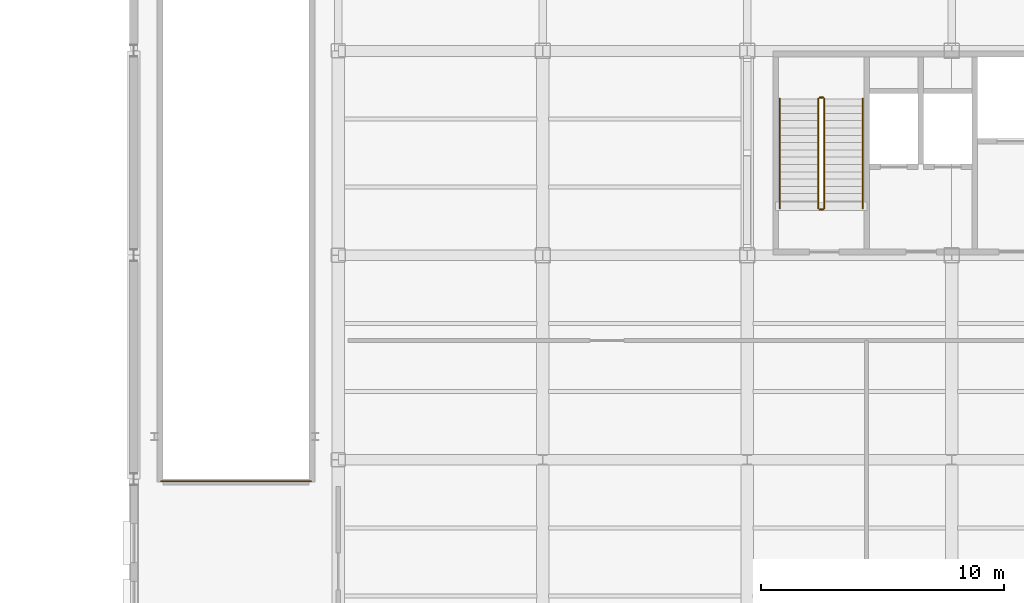
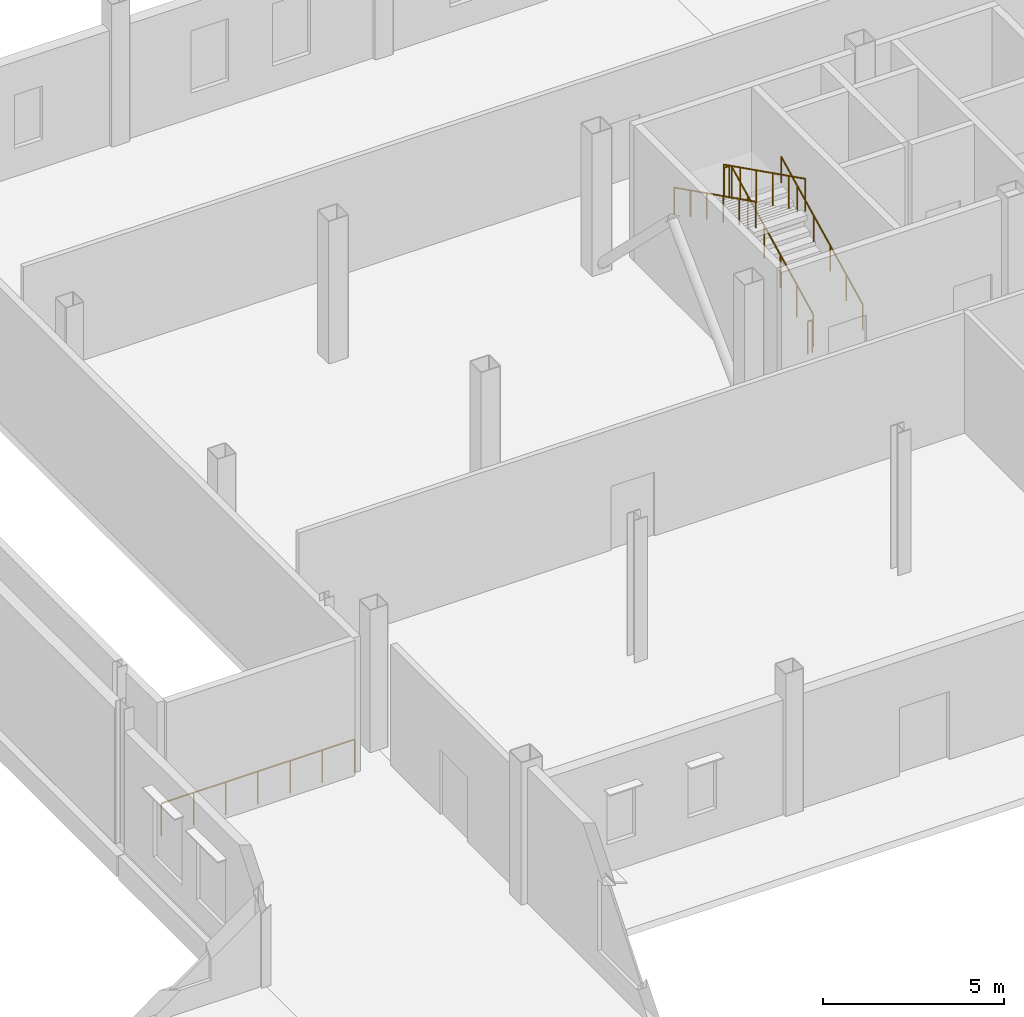
# One storey, part 81 of 82: 7 railings.
"""IFC4 building model written with IfcOpenShell, lengths in metres."""

from ifc_helpers import new_model, si_unit, direction, frame, origin, origin_2d, place, context, subcontext, project, spatial, circle, extrude, material, layer, layer_set, type_object, element, save


model = new_model("IFC4")

# Units and contexts
model_context = context("Model", 3, precision=1e-05, world=origin(), true_north=direction((0.0, 1.0)))
body_context = subcontext(model_context, "Body", "Model", "MODEL_VIEW")
ifc_project = project(units=[si_unit("LENGTHUNIT", "METRE"), si_unit("AREAUNIT", "SQUARE_METRE"), si_unit("VOLUMEUNIT", "CUBIC_METRE"), si_unit("PLANEANGLEUNIT", "RADIAN"), si_unit("MASSUNIT", "GRAM", prefix="KILO")], contexts=[model_context])

# Site, building, storey
site_placement = place(None, origin())
site = spatial("IfcSite", under=ifc_project, at=site_placement, CompositionType="ELEMENT")
building_placement = place(site_placement, origin())
building = spatial("IfcBuilding", under=site, at=building_placement, Name="Yukiwa Park Conservatory and Herbarium", CompositionType="ELEMENT")
storey_placement = place(building_placement, origin())
storey = spatial("IfcBuildingStorey", under=building, at=storey_placement, Name="L00", CompositionType="ELEMENT", Elevation=0.0)

# Railings
ifc_material_1 = material(Name="Steel Q235B", Category="steel")
ifc_layer_1 = layer(ifc_material_1, 0.050048828125)
ifc_layer_set_1 = layer_set([ifc_layer_1], Name="Steel Q235B")
railing_type_1 = type_object("IfcRailingType", Name="RL-STAIR-GUARD-1120", PredefinedType="BALUSTRADE", material=ifc_layer_set_1)
railing_1_placement = place(storey_placement, frame((136.3701171875, 96.72998046875, 0.14990234375)))
element("IfcRailing", 1, at=railing_1_placement, inside=storey, type_object=railing_type_1, Name="L00 ST-T1 stair guard 1", PredefinedType="BALUSTRADE", context=body_context, shape_type="SweptSolid", body=[
    extrude(circle(Radius=0.02392578125, at=origin_2d()), frame((0.0, 0.0, 1.09619140625), z_axis=(0.0, 0.894427191, 0.4472135955), x_axis=(-1.0, 0.0, 0.0)), (0.0, 0.0, 1.0), 5.03125),
    extrude(circle(Radius=0.02099609375, at=origin_2d()), origin(), (0.0, 0.0, 1.0), 1.072021484375),
    extrude(circle(Radius=0.02099609375, at=origin_2d()), frame((0.0, 0.89990234375, 0.449951171875)), (0.0, 0.0, 1.0), 1.072021484375),
    extrude(circle(Radius=0.02099609375, at=origin_2d()), frame((0.0, 1.800048828125, 0.89990234375)), (0.0, 0.0, 1.0), 1.072021484375),
    extrude(circle(Radius=0.02099609375, at=origin_2d()), frame((0.0, 2.699951171875, 1.35009765625)), (0.0, 0.0, 1.0), 1.072021484375),
    extrude(circle(Radius=0.02099609375, at=origin_2d()), frame((0.0, 3.60009765625, 1.800048828125)), (0.0, 0.0, 1.0), 1.072021484375),
    extrude(circle(Radius=0.02099609375, at=origin_2d()), frame((0.0, 4.5, 2.25)), (0.0, 0.0, 1.0), 1.072021484375),
])
railing_2_placement = place(storey_placement, frame((136.320068359375, 101.280029296875, 2.39990234375)))
element("IfcRailing", 2, at=railing_2_placement, inside=storey, type_object=railing_type_1, Name="L00 ST-T1 stair guard 2", PredefinedType="BALUSTRADE", context=body_context, shape_type="SweptSolid", body=[
    extrude(circle(Radius=0.02392578125, at=origin_2d()), frame((0.0, 0.0, 1.09619140625), z_axis=(-1.0, 0.0, 0.0), x_axis=(0.0, -1.0, 0.0)), (0.0, 0.0, 1.0), 0.150146484375),
    extrude(circle(Radius=0.02099609375, at=origin_2d()), origin(), (0.0, 0.0, 1.0), 1.072021484375),
    extrude(circle(Radius=0.02099609375, at=origin_2d()), frame((-0.150146484375, 0.0, 0.0)), (0.0, 0.0, 1.0), 1.072021484375),
])
railing_3_placement = place(storey_placement, frame((136.1201171875, 101.22998046875, 2.550048828125)))
element("IfcRailing", 3, at=railing_3_placement, inside=storey, type_object=railing_type_1, Name="L00 ST-T1 stair guard 3", PredefinedType="BALUSTRADE", context=body_context, shape_type="SweptSolid", body=[
    extrude(circle(Radius=0.02392578125, at=origin_2d()), frame((0.0, 0.0, 1.09619140625), z_axis=(0.0, -0.894427191, 0.4472135955), x_axis=(1.0, 0.0, 0.0)), (0.0, 0.0, 1.0), 5.03125),
    extrude(circle(Radius=0.02099609375, at=origin_2d()), origin(), (0.0, 0.0, 1.0), 1.072021484375),
    extrude(circle(Radius=0.02099609375, at=origin_2d()), frame((0.0, -0.89990234375, 0.449951171875)), (0.0, 0.0, 1.0), 1.072021484375),
    extrude(circle(Radius=0.02099609375, at=origin_2d()), frame((0.0, -1.800048828125, 0.89990234375)), (0.0, 0.0, 1.0), 1.072021484375),
    extrude(circle(Radius=0.02099609375, at=origin_2d()), frame((0.0, -2.699951171875, 1.35009765625)), (0.0, 0.0, 1.0), 1.072021484375),
    extrude(circle(Radius=0.02099609375, at=origin_2d()), frame((0.0, -3.60009765625, 1.800048828125)), (0.0, 0.0, 1.0), 1.072021484375),
    extrude(circle(Radius=0.02099609375, at=origin_2d()), frame((0.0, -4.5, 2.25)), (0.0, 0.0, 1.0), 1.072021484375),
])
railing_4_placement = place(storey_placement, frame((136.320068359375, 96.679931640625, 0.0)))
element("IfcRailing", 4, at=railing_4_placement, inside=storey, type_object=railing_type_1, Name="L00 ST-T1 stair guard 4", PredefinedType="BALUSTRADE", context=body_context, shape_type="SweptSolid", body=[
    extrude(circle(Radius=0.02392578125, at=origin_2d()), frame((0.0, 0.0, 1.09619140625), z_axis=(-1.0, 0.0, 0.0), x_axis=(0.0, -1.0, 0.0)), (0.0, 0.0, 1.0), 0.150146484375),
    extrude(circle(Radius=0.02099609375, at=origin_2d()), origin(), (0.0, 0.0, 1.0), 1.072021484375),
    extrude(circle(Radius=0.02099609375, at=origin_2d()), frame((-0.150146484375, 0.0, 0.0)), (0.0, 0.0, 1.0), 1.072021484375),
])
ifc_material_2 = material(Name="Steel Q235B", Category="steel")
ifc_layer_2 = layer(ifc_material_2, 0.044921875)
ifc_layer_set_2 = layer_set([ifc_layer_2], Name="Steel Q235B")
railing_type_2 = type_object("IfcRailingType", Name="RL-STAIR-RAIL-900", PredefinedType="HANDRAIL", material=ifc_layer_set_2)
railing_5_placement = place(storey_placement, frame((137.949951171875, 96.72998046875, 0.14990234375)))
element("IfcRailing", 5, at=railing_5_placement, inside=storey, type_object=railing_type_2, Name="L00 ST-T1 stair handrail 1", PredefinedType="HANDRAIL", context=body_context, shape_type="SweptSolid", body=[
    extrude(circle(Radius=0.02392578125, at=origin_2d()), frame((0.0, 0.0, 0.8759765625), z_axis=(0.0, 0.894427191, 0.4472135955), x_axis=(-1.0, 0.0, 0.0)), (0.0, 0.0, 1.0), 5.03125),
    extrude(circle(Radius=0.02099609375, at=origin_2d()), origin(), (0.0, 0.0, 1.0), 0.851806640625),
    extrude(circle(Radius=0.02099609375, at=origin_2d()), frame((0.0, 0.89990234375, 0.449951171875)), (0.0, 0.0, 1.0), 0.851806640625),
    extrude(circle(Radius=0.02099609375, at=origin_2d()), frame((0.0, 1.800048828125, 0.89990234375)), (0.0, 0.0, 1.0), 0.851806640625),
    extrude(circle(Radius=0.02099609375, at=origin_2d()), frame((0.0, 2.699951171875, 1.35009765625)), (0.0, 0.0, 1.0), 0.851806640625),
    extrude(circle(Radius=0.02099609375, at=origin_2d()), frame((0.0, 3.60009765625, 1.800048828125)), (0.0, 0.0, 1.0), 0.851806640625),
    extrude(circle(Radius=0.02099609375, at=origin_2d()), frame((0.0, 4.5, 2.25)), (0.0, 0.0, 1.0), 0.851806640625),
])
railing_6_placement = place(storey_placement, frame((134.5400390625, 101.22998046875, 2.550048828125)))
element("IfcRailing", 6, at=railing_6_placement, inside=storey, type_object=railing_type_2, Name="L00 ST-T1 stair handrail 2", PredefinedType="HANDRAIL", context=body_context, shape_type="SweptSolid", body=[
    extrude(circle(Radius=0.02392578125, at=origin_2d()), frame((0.0, 0.0, 0.8759765625), z_axis=(0.0, -0.894427191, 0.4472135955), x_axis=(1.0, 0.0, 0.0)), (0.0, 0.0, 1.0), 5.03125),
    extrude(circle(Radius=0.02099609375, at=origin_2d()), origin(), (0.0, 0.0, 1.0), 0.851806640625),
    extrude(circle(Radius=0.02099609375, at=origin_2d()), frame((0.0, -0.89990234375, 0.449951171875)), (0.0, 0.0, 1.0), 0.851806640625),
    extrude(circle(Radius=0.02099609375, at=origin_2d()), frame((0.0, -1.800048828125, 0.89990234375)), (0.0, 0.0, 1.0), 0.851806640625),
    extrude(circle(Radius=0.02099609375, at=origin_2d()), frame((0.0, -2.699951171875, 1.35009765625)), (0.0, 0.0, 1.0), 0.851806640625),
    extrude(circle(Radius=0.02099609375, at=origin_2d()), frame((0.0, -3.60009765625, 1.800048828125)), (0.0, 0.0, 1.0), 0.851806640625),
    extrude(circle(Radius=0.02099609375, at=origin_2d()), frame((0.0, -4.5, 2.25)), (0.0, 0.0, 1.0), 0.851806640625),
])
ifc_material_3 = material(Name="Laminated Tempered Safety Glass", Category="glass")
ifc_layer_3 = layer(ifc_material_3, 0.06005859375)
ifc_layer_set_3 = layer_set([ifc_layer_3], Name="Laminated Tempered Safety Glass")
railing_type_3 = type_object("IfcRailingType", Name="RL-VOID-GUARD-1120", PredefinedType="BALUSTRADE", material=ifc_layer_set_3)
railing_7_placement = place(storey_placement, frame((109.1201171875, 85.52001953125, 0.0)))
element("IfcRailing", 7, at=railing_7_placement, inside=storey, type_object=railing_type_3, Name="L00 interior atrium and mezzanine balustrade RL-INT-L00-RAMP", PredefinedType="BALUSTRADE", context=body_context, shape_type="SweptSolid", body=[
    extrude(circle(Radius=0.02392578125, at=origin_2d()), frame((0.0, 0.0, 1.09619140625), z_axis=(1.0, 0.0, 0.0), x_axis=(0.0, 1.0, 0.0)), (0.0, 0.0, 1.0), 6.159912109375),
    extrude(circle(Radius=0.02099609375, at=origin_2d()), origin(), (0.0, 0.0, 1.0), 1.072021484375),
    extrude(circle(Radius=0.02099609375, at=origin_2d()), frame((1.026611328125, 0.0, 0.0)), (0.0, 0.0, 1.0), 1.072021484375),
    extrude(circle(Radius=0.02099609375, at=origin_2d()), frame((2.05322265625, 0.0, 0.0)), (0.0, 0.0, 1.0), 1.072021484375),
    extrude(circle(Radius=0.02099609375, at=origin_2d()), frame((3.080078125, 0.0, 0.0)), (0.0, 0.0, 1.0), 1.072021484375),
    extrude(circle(Radius=0.02099609375, at=origin_2d()), frame((4.106689453125, 0.0, 0.0)), (0.0, 0.0, 1.0), 1.072021484375),
    extrude(circle(Radius=0.02099609375, at=origin_2d()), frame((5.13330078125, 0.0, 0.0)), (0.0, 0.0, 1.0), 1.072021484375),
    extrude(circle(Radius=0.02099609375, at=origin_2d()), frame((6.159912109375, 0.0, 0.0)), (0.0, 0.0, 1.0), 1.072021484375),
])

save(model, "model.ifc")
